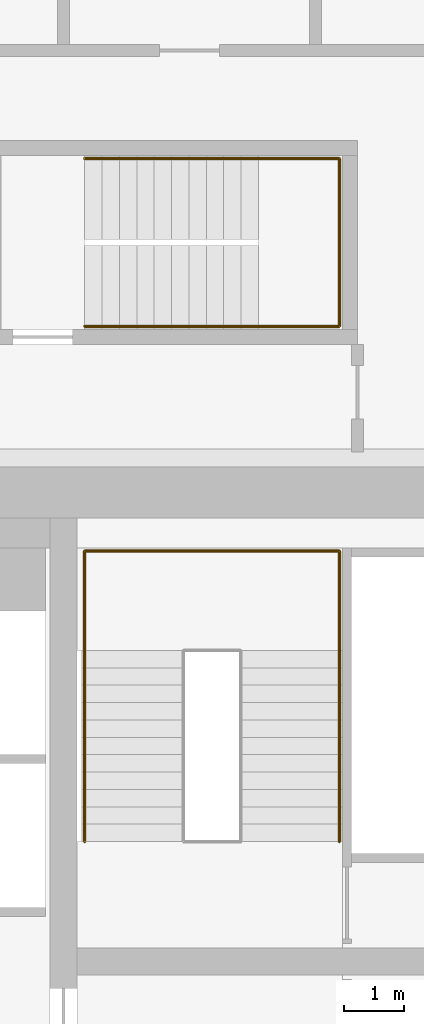
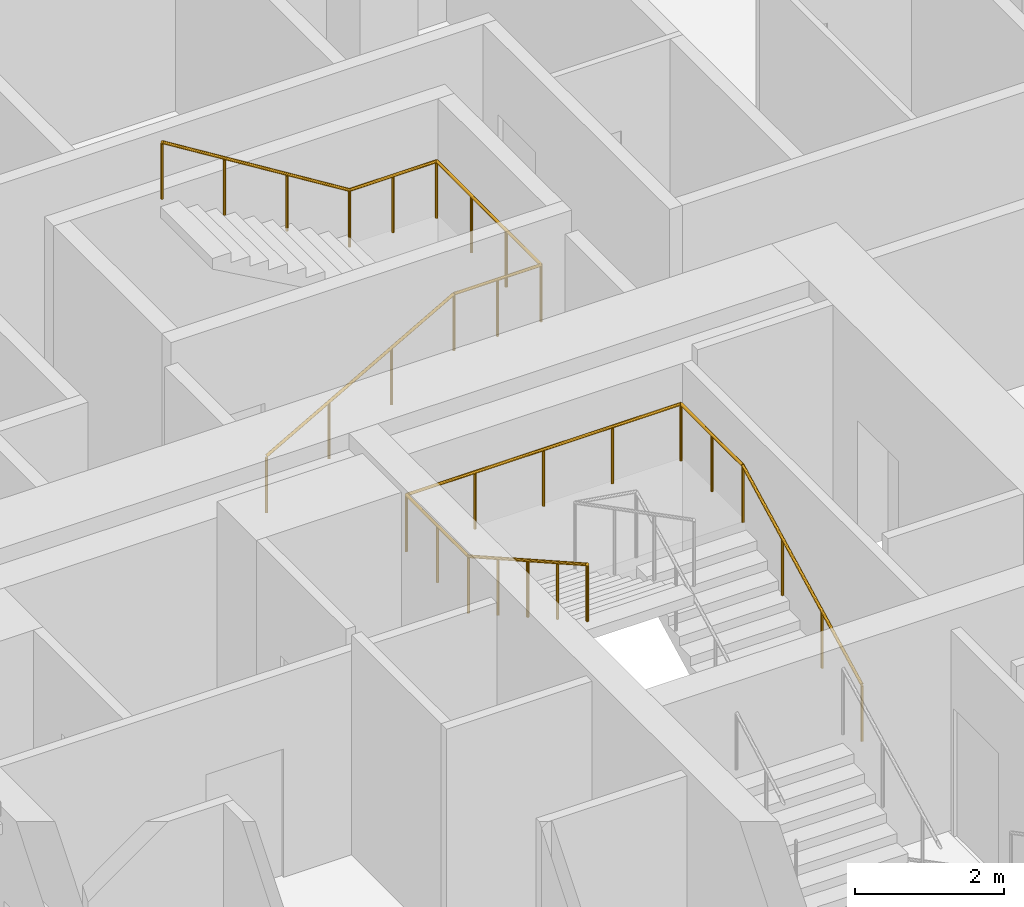
# One storey, part 36 of 36: 2 railings.
"""IFC4 building model written with IfcOpenShell, lengths in metres."""

import ifcopenshell
import ifcopenshell.guid

model = None  # the IFC model being written
_history = None  # IfcOwnerHistory: only IFC2X3 demands one
_inside = {}  # id of a spatial element -> (the spatial element, [elements in it])
_under = {}  # id of a project, library or spatial element -> (it, [spatial elements below it])
_declared = {}  # id of a project -> (the project, [libraries it declares])
_typed = {}  # id of a type object -> (the type object, [elements of that type])
_made_of = {}  # id of a material, layer set ... -> (it, [elements and type objects made of it])


def new_model(schema):
    """Start an empty IFC model of exactly this schema.

    Asked for "IFC4X3", IfcOpenShell would pick the latest addendum, in which some entities
    have other attributes; the version numbers below select the first issue.
    IFC2X3 requires an IfcOwnerHistory on every rooted entity: one is made here for all.
    """
    global model, _history
    if schema == "IFC4X3":
        model = ifcopenshell.file(schema_version=(4, 3, 0, 0))
    else:
        model = ifcopenshell.file(schema=schema)
    _inside.clear()
    _under.clear()
    _declared.clear()
    _typed.clear()
    _made_of.clear()
    _history = None
    if model.schema == "IFC2X3":
        org = make("IfcOrganization", Name="unknown")
        user = make(
            "IfcPersonAndOrganization",
            ThePerson=make("IfcPerson", FamilyName="unknown"),
            TheOrganization=org,
        )
        app = make(
            "IfcApplication",
            ApplicationDeveloper=org,
            Version="unknown",
            ApplicationFullName="unknown",
            ApplicationIdentifier="unknown",
        )
        _history = make(
            "IfcOwnerHistory",
            OwningUser=user,
            OwningApplication=app,
            ChangeAction="ADDED",
            CreationDate=0,
        )
    return model


def make(cls, **values):
    """One entity of the class cls with the attributes given. An attribute that is None is left unset."""
    return model.create_entity(
        cls, **{name: value for name, value in values.items() if value is not None}
    )


def rooted(cls, **values):
    """An entity with a GlobalId (a new one), such as an element, a storey or a relation."""
    return make(cls, GlobalId=ifcopenshell.guid.new(), OwnerHistory=_history, **values)


def si_unit(unit_type, name, prefix=None):
    """IfcSIUnit, for example si_unit("LENGTHUNIT", "METRE", prefix="MILLI")."""
    return make("IfcSIUnit", UnitType=unit_type, Prefix=prefix, Name=name)


def assignment(units):
    """IfcUnitAssignment: the units of a project."""
    return None if units is None else make("IfcUnitAssignment", Units=units)


def point(xyz):
    """IfcCartesianPoint."""
    return None if xyz is None else make("IfcCartesianPoint", Coordinates=xyz)


def direction(xyz):
    """IfcDirection."""
    return None if xyz is None else make("IfcDirection", DirectionRatios=xyz)


def frame(location, z_axis=None, x_axis=None):
    """IfcAxis2Placement3D, a coordinate frame: its origin and axes. An axis left out is left unset."""
    return make(
        "IfcAxis2Placement3D",
        Location=point(location),
        Axis=direction(z_axis),
        RefDirection=direction(x_axis),
    )


def frame_2d(location, x_axis=None):
    """IfcAxis2Placement2D, a coordinate frame in the plane: its origin and x axis."""
    return make(
        "IfcAxis2Placement2D", Location=point(location), RefDirection=direction(x_axis)
    )


def origin():
    """The frame at (0, 0, 0) with its axes left unset."""
    return frame((0.0, 0.0, 0.0))


def origin_2d():
    """The frame at (0, 0) in the plane with its x axis left unset."""
    return frame_2d((0.0, 0.0))


def place(relative_to, where):
    """IfcLocalPlacement: puts the frame where relative to a parent placement (None: the world)."""
    return make(
        "IfcLocalPlacement", PlacementRelTo=relative_to, RelativePlacement=where
    )


def context(
    kind, dimensions, precision=None, world=None, true_north=None, identifier=None
):
    """IfcGeometricRepresentationContext, for example the 3D "Model" context."""
    return make(
        "IfcGeometricRepresentationContext",
        ContextIdentifier=identifier,
        ContextType=kind,
        CoordinateSpaceDimension=dimensions,
        Precision=precision,
        WorldCoordinateSystem=world,
        TrueNorth=true_north,
    )


def subcontext(parent, identifier, kind, view, scale=None):
    """IfcGeometricRepresentationSubContext, for example "Body" below "Model"."""
    return make(
        "IfcGeometricRepresentationSubContext",
        ContextIdentifier=identifier,
        ContextType=kind,
        ParentContext=parent,
        TargetScale=scale,
        TargetView=view,
    )


def project(units=None, contexts=None):
    """IfcProject with its units and contexts."""
    return rooted(
        "IfcProject",
        Name="project",
        RepresentationContexts=contexts,
        UnitsInContext=assignment(units),
    )


def spatial(cls, under=None, at=None, **own):
    """A site, building, storey or space (cls), placed at a placement, below another one or the project."""
    s = rooted(cls, ObjectPlacement=at, **own)
    if under is not None:
        _under.setdefault(under.id(), (under, []))[1].append(s)
    return s


def profile(cls, at=None, kind="AREA", **sizes):
    """A parametric profile (cls). Its sizes go by their IFC names, for example OverallWidth=200.0."""
    return make(cls, ProfileType=kind, Position=at, **sizes)


def circle(**sizes):
    """IfcCircleProfileDef."""
    return profile("IfcCircleProfileDef", **sizes)


def extrude(swept, where, along, depth):
    """IfcExtrudedAreaSolid: the profile swept, set in the frame where, extruded along a direction by depth."""
    return make(
        "IfcExtrudedAreaSolid",
        SweptArea=swept,
        Position=where,
        ExtrudedDirection=direction(along),
        Depth=depth,
    )


def shape(context_of_items, identifier, shape_type, items):
    """IfcShapeRepresentation: the items that make up one representation, for example the "Body"."""
    return make(
        "IfcShapeRepresentation",
        ContextOfItems=context_of_items,
        RepresentationIdentifier=identifier,
        RepresentationType=shape_type,
        Items=items,
    )


def material(Name=None, Category=None):
    """IfcMaterial."""
    return make("IfcMaterial", Name=Name, Category=Category)


def made_of(thing, what):
    """Note that an element or type object is made of a material, layer set ...; save() writes the relation."""
    if what is not None:
        _made_of.setdefault(what.id(), (what, []))[1].append(thing)
    return thing


def type_object(cls, material=None, **own):
    """A type object (cls), such as IfcWallType, which elements share."""
    return made_of(rooted(cls, **own), material)


def element(
    cls,
    number,
    at=None,
    inside=None,
    cuts=None,
    type_object=None,
    material=None,
    context=None,
    identifier="Body",
    shape_type=None,
    held_by="IfcProductDefinitionShape",
    body=None,
    shapes=None,
    **own,
):
    """One element of the class cls, such as IfcWall. Its Tag is "e" and its number.

    at: its placement. inside: the storey or other place that contains it. cuts: it is an
    opening in that element (IfcRelVoidsElement). A single representation is given by context,
    identifier, shape_type and body (its items); several are given by shapes. held_by: the class
    of the entity that holds the representations. save() writes the other relations.
    """
    e = rooted(cls, Tag="e%d" % number, ObjectPlacement=at, **own)
    if body is not None:
        shapes = [shape(context, identifier, shape_type, body)]
    if shapes is not None:
        e.Representation = make(held_by, Representations=shapes)
    if inside is not None:
        _inside.setdefault(inside.id(), (inside, []))[1].append(e)
    if cuts is not None:
        rooted(
            "IfcRelVoidsElement", RelatingBuildingElement=cuts, RelatedOpeningElement=e
        )
    if type_object is not None:
        _typed.setdefault(type_object.id(), (type_object, []))[1].append(e)
    return made_of(e, material)


def aggregate(whole, parts):
    """IfcRelAggregates: a whole, such as a stair, and the parts it consists of."""
    return rooted("IfcRelAggregates", RelatingObject=whole, RelatedObjects=parts)


def save(model, path):
    """Write the relations noted so far, then the file.

    IfcRelAggregates (storeys below a building ...), IfcRelContainedInSpatialStructure (elements
    in a storey), IfcRelDefinesByType, IfcRelAssociatesMaterial and IfcRelDeclares: one each for
    every whole, place, type object, material and project.
    """
    for whole, parts in _under.values():
        aggregate(whole, parts)
    for where, things in _inside.values():
        rooted(
            "IfcRelContainedInSpatialStructure",
            RelatedElements=things,
            RelatingStructure=where,
        )
    for kind, things in _typed.values():
        rooted("IfcRelDefinesByType", RelatedObjects=things, RelatingType=kind)
    for what, things in _made_of.values():
        rooted("IfcRelAssociatesMaterial", RelatedObjects=things, RelatingMaterial=what)
    for by, libraries in _declared.values():
        rooted("IfcRelDeclares", RelatingContext=by, RelatedDefinitions=libraries)
    model.write(path)


model = new_model("IFC4")

# Units and contexts
model_context = context("Model", 3, precision=1e-05, world=origin(), true_north=direction((0.0, 1.0)))
body_context = subcontext(model_context, "Body", "Model", "MODEL_VIEW")
ifc_project = project(units=[si_unit("LENGTHUNIT", "METRE"), si_unit("AREAUNIT", "SQUARE_METRE"), si_unit("VOLUMEUNIT", "CUBIC_METRE"), si_unit("PLANEANGLEUNIT", "RADIAN"), si_unit("MASSUNIT", "GRAM", prefix="KILO")], contexts=[model_context])

# Site, building, storey
site_placement = place(None, origin())
site = spatial("IfcSite", under=ifc_project, at=site_placement, CompositionType="ELEMENT")
building_placement = place(site_placement, origin())
building = spatial("IfcBuilding", under=site, at=building_placement, Name="Marenta Gate Hotel Tower", CompositionType="ELEMENT")
storey_placement = place(building_placement, frame((0.0, 0.0, 115.699951171875)))
storey = spatial("IfcBuildingStorey", under=building, at=storey_placement, Name="L25", CompositionType="ELEMENT", Elevation=115.699951171875)

# Railings
ifc_material = material(Name="Stainless steel", Category="steel")
railing_type = type_object("IfcRailingType", Name="Core stair handrail 950", PredefinedType="HANDRAIL", material=ifc_material)
railing_1_placement = place(storey_placement, frame((8.800048828125, 10.39990234375, 0.150146484375)))
element("IfcRailing", 1, at=railing_1_placement, inside=storey, type_object=railing_type, Name="HR-950 L25-KR-ST4-1", PredefinedType="HANDRAIL", context=body_context, shape_type="SweptSolid", body=[
    extrude(circle(Radius=0.02392578125, at=origin_2d()), frame((0.0, 0.0, 0.92578125), z_axis=(0.0, 0.888239641807, 0.459380385653), x_axis=(-1.0, 0.0, 0.0)), (0.0, 0.0, 1.0), 3.591552734375),
    extrude(circle(Radius=0.02392578125, at=origin_2d()), frame((0.0, 3.190185546875, 2.57568359375), z_axis=(0.0, 1.0, 0.0), x_axis=(-1.0, 0.0, 0.0)), (0.0, 0.0, 1.0), 1.659912109375),
    extrude(circle(Radius=0.02392578125, at=origin_2d()), frame((0.0, 4.85009765625, 2.57568359375), z_axis=(-1.0, 0.0, 0.0), x_axis=(0.0, -1.0, 0.0)), (0.0, 0.0, 1.0), 4.25),
    extrude(circle(Radius=0.02392578125, at=origin_2d()), frame((-4.25, 4.85009765625, 2.57568359375), z_axis=(0.0, -1.0, 0.0), x_axis=(1.0, 0.0, 0.0)), (0.0, 0.0, 1.0), 1.659912109375),
    extrude(circle(Radius=0.02392578125, at=origin_2d()), frame((-4.25, 3.190185546875, 2.57568359375), z_axis=(0.0, -0.870925075533, 0.491415824742), x_axis=(1.0, 0.0, 0.0)), (0.0, 0.0, 1.0), 3.6630859375),
    extrude(circle(Radius=0.02099609375, at=origin_2d()), origin(), (0.0, 0.0, 1.0), 0.90185546875),
    extrude(circle(Radius=0.02099609375, at=origin_2d()), frame((0.0, 1.0634765625, 0.550048828125)), (0.0, 0.0, 1.0), 0.90185546875),
    extrude(circle(Radius=0.02099609375, at=origin_2d()), frame((0.0, 2.126708984375, 1.099853515625)), (0.0, 0.0, 1.0), 0.90185546875),
    extrude(circle(Radius=0.02099609375, at=origin_2d()), frame((0.0, 3.190185546875, 1.64990234375)), (0.0, 0.0, 1.0), 0.90185546875),
    extrude(circle(Radius=0.02099609375, at=origin_2d()), frame((0.0, 4.02001953125, 1.64990234375)), (0.0, 0.0, 1.0), 0.90185546875),
    extrude(circle(Radius=0.02099609375, at=origin_2d()), frame((0.0, 4.85009765625, 1.64990234375)), (0.0, 0.0, 1.0), 0.90185546875),
    extrude(circle(Radius=0.02099609375, at=origin_2d()), frame((-1.0625, 4.85009765625, 1.64990234375)), (0.0, 0.0, 1.0), 0.90185546875),
    extrude(circle(Radius=0.02099609375, at=origin_2d()), frame((-2.125, 4.85009765625, 1.64990234375)), (0.0, 0.0, 1.0), 0.90185546875),
    extrude(circle(Radius=0.02099609375, at=origin_2d()), frame((-3.1875, 4.85009765625, 1.64990234375)), (0.0, 0.0, 1.0), 0.90185546875),
    extrude(circle(Radius=0.02099609375, at=origin_2d()), frame((-4.25, 4.85009765625, 1.64990234375)), (0.0, 0.0, 1.0), 0.90185546875),
    extrude(circle(Radius=0.02099609375, at=origin_2d()), frame((-4.25, 4.02001953125, 1.64990234375)), (0.0, 0.0, 1.0), 0.90185546875),
    extrude(circle(Radius=0.02099609375, at=origin_2d()), frame((-4.25, 3.190185546875, 1.64990234375)), (0.0, 0.0, 1.0), 0.90185546875),
    extrude(circle(Radius=0.02099609375, at=origin_2d()), frame((-4.25, 2.392578125, 2.099853515625)), (0.0, 0.0, 1.0), 0.90185546875),
    extrude(circle(Radius=0.02099609375, at=origin_2d()), frame((-4.25, 1.59521484375, 2.5498046875)), (0.0, 0.0, 1.0), 0.90185546875),
    extrude(circle(Radius=0.02099609375, at=origin_2d()), frame((-4.25, 0.797607421875, 3.0)), (0.0, 0.0, 1.0), 0.90185546875),
    extrude(circle(Radius=0.02099609375, at=origin_2d()), frame((-4.25, 0.0, 3.449951171875)), (0.0, 0.0, 1.0), 0.90185546875),
])
railing_2_placement = place(storey_placement, frame((4.550048828125, 19.0, 0.16357421875)))
element("IfcRailing", 2, at=railing_2_placement, inside=storey, type_object=railing_type, Name="HR-950 L25-RS-Z2-4-KR-1", PredefinedType="HANDRAIL", context=body_context, shape_type="SweptSolid", body=[
    extrude(circle(Radius=0.02392578125, at=origin_2d()), frame((0.0, 0.0, 0.92578125), z_axis=(0.870897200241, 0.0, 0.491465224214), x_axis=(0.0, 1.0, 0.0)), (0.0, 0.0, 1.0), 3.329833984375),
    extrude(circle(Radius=0.02392578125, at=origin_2d()), frame((2.89990234375, 0.0, 2.5625), z_axis=(1.0, 0.0, 0.0), x_axis=(0.0, 1.0, 0.0)), (0.0, 0.0, 1.0), 1.35009765625),
    extrude(circle(Radius=0.02392578125, at=origin_2d()), frame((4.25, 0.0, 2.5625), z_axis=(0.0, 1.0, 0.0), x_axis=(-1.0, 0.0, 0.0)), (0.0, 0.0, 1.0), 2.800048828125),
    extrude(circle(Radius=0.02392578125, at=origin_2d()), frame((4.25, 2.800048828125, 2.5625), z_axis=(-1.0, 0.0, 0.0), x_axis=(0.0, -1.0, 0.0)), (0.0, 0.0, 1.0), 1.35009765625),
    extrude(circle(Radius=0.02392578125, at=origin_2d()), frame((2.89990234375, 2.800048828125, 2.5625), z_axis=(-0.849625798611, 0.0, 0.527386008853), x_axis=(0.0, -1.0, 0.0)), (0.0, 0.0, 1.0), 3.4130859375),
    extrude(circle(Radius=0.02099609375, at=origin_2d()), origin(), (0.0, 0.0, 1.0), 0.90185546875),
    extrude(circle(Radius=0.02099609375, at=origin_2d()), frame((0.966552734375, 0.0, 0.54541015625)), (0.0, 0.0, 1.0), 0.90185546875),
    extrude(circle(Radius=0.02099609375, at=origin_2d()), frame((1.933349609375, 0.0, 1.091064453125)), (0.0, 0.0, 1.0), 0.90185546875),
    extrude(circle(Radius=0.02099609375, at=origin_2d()), frame((2.89990234375, 0.0, 1.636474609375)), (0.0, 0.0, 1.0), 0.90185546875),
    extrude(circle(Radius=0.02099609375, at=origin_2d()), frame((3.574951171875, 0.0, 1.636474609375)), (0.0, 0.0, 1.0), 0.90185546875),
    extrude(circle(Radius=0.02099609375, at=origin_2d()), frame((4.25, 0.0, 1.636474609375)), (0.0, 0.0, 1.0), 0.90185546875),
    extrude(circle(Radius=0.02099609375, at=origin_2d()), frame((4.25, 0.933349609375, 1.636474609375)), (0.0, 0.0, 1.0), 0.90185546875),
    extrude(circle(Radius=0.02099609375, at=origin_2d()), frame((4.25, 1.86669921875, 1.636474609375)), (0.0, 0.0, 1.0), 0.90185546875),
    extrude(circle(Radius=0.02099609375, at=origin_2d()), frame((4.25, 2.800048828125, 1.636474609375)), (0.0, 0.0, 1.0), 0.90185546875),
    extrude(circle(Radius=0.02099609375, at=origin_2d()), frame((3.574951171875, 2.800048828125, 1.636474609375)), (0.0, 0.0, 1.0), 0.90185546875),
    extrude(circle(Radius=0.02099609375, at=origin_2d()), frame((2.89990234375, 2.800048828125, 1.636474609375)), (0.0, 0.0, 1.0), 0.90185546875),
    extrude(circle(Radius=0.02099609375, at=origin_2d()), frame((1.933349609375, 2.800048828125, 2.236572265625)), (0.0, 0.0, 1.0), 0.90185546875),
    extrude(circle(Radius=0.02099609375, at=origin_2d()), frame((0.966552734375, 2.800048828125, 2.83642578125)), (0.0, 0.0, 1.0), 0.90185546875),
    extrude(circle(Radius=0.02099609375, at=origin_2d()), frame((0.0, 2.800048828125, 3.4365234375)), (0.0, 0.0, 1.0), 0.90185546875),
])

save(model, "model.ifc")
